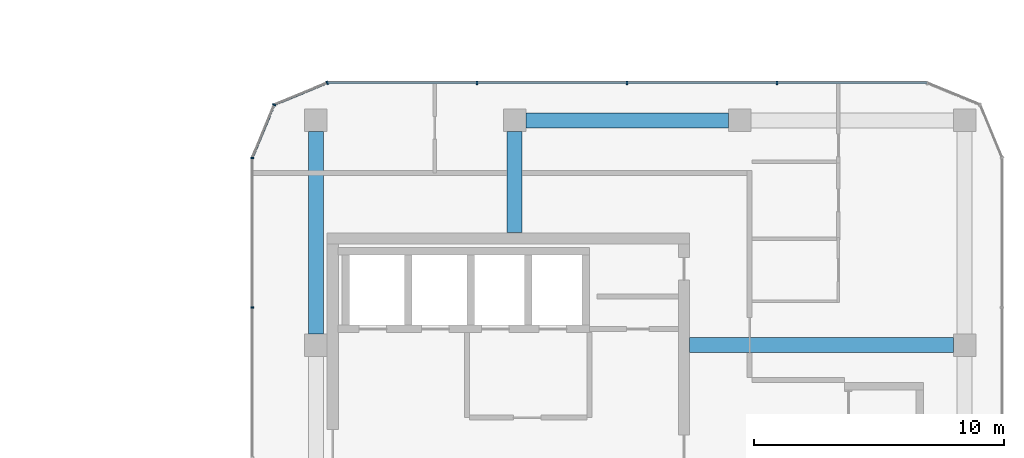
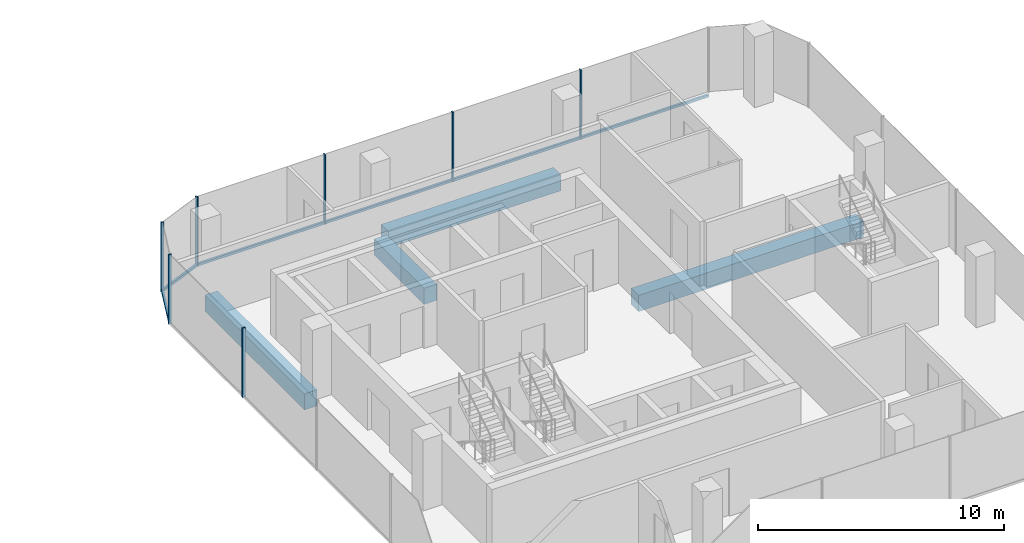
# One storey, part 9 of 22: 10 members, 4 beams, 4 elements without a shape of their own.
"""IFC4 building model written with IfcOpenShell, lengths in metres."""

from ifc_helpers import new_model, si_unit, direction, frame, origin, origin_2d, place, context, subcontext, project, spatial, rectangle, extrude, material, layer, layer_set, material_profile, profile_set, type_object, element, aggregate, save


model = new_model("IFC4")

# Units and contexts
model_context = context("Model", 3, precision=1e-05, world=origin(), true_north=direction((0.0, 1.0)))
body_context = subcontext(model_context, "Body", "Model", "MODEL_VIEW")
ifc_project = project(units=[si_unit("LENGTHUNIT", "METRE"), si_unit("AREAUNIT", "SQUARE_METRE"), si_unit("VOLUMEUNIT", "CUBIC_METRE"), si_unit("PLANEANGLEUNIT", "RADIAN"), si_unit("MASSUNIT", "GRAM", prefix="KILO")], contexts=[model_context])

# Site, building, storey
site_placement = place(None, origin())
site = spatial("IfcSite", under=ifc_project, at=site_placement, CompositionType="ELEMENT")
building_placement = place(site_placement, origin())
building = spatial("IfcBuilding", under=site, at=building_placement, Name="Plateau Cross Towers", CompositionType="ELEMENT")
storey_placement = place(building_placement, frame((0.0, 0.0, 68.800048828125)))
storey = spatial("IfcBuildingStorey", under=building, at=storey_placement, Name="L17", CompositionType="ELEMENT", Elevation=68.800048828125)

# Beams
ifc_material_1 = material(Name="Concrete C60/75", Category="concrete")
ifc_material_profile_1 = material_profile(ifc_material_1, rectangle(XDim=0.60009765625, YDim=0.800048828125, at=origin_2d()), Name="RC 600x800")
ifc_profile_set_1 = profile_set([ifc_material_profile_1], Name="Concrete C60/75")
beam_type_1 = type_object("IfcBeamType", Name="Core beam RC 600x800", PredefinedType="BEAM", material=ifc_profile_set_1)
beam_1_placement = place(storey_placement, frame((89.5, 13.5, -0.650146484375), z_axis=(1.0, 0.0, 0.0), x_axis=(0.0, 1.0, 0.0)))
element("IfcBeam", 1, at=beam_1_placement, inside=storey, type_object=beam_type_1, Name="B-CB03@L17", PredefinedType="BEAM", context=body_context, shape_type="SweptSolid", body=[
    extrude(rectangle(XDim=0.60009765625, YDim=0.800048828125, at=origin_2d()), origin(), (0.0, 0.0, 1.0), 10.550048828125),
])
beam_2_placement = place(storey_placement, frame((82.5, 18.0, -0.650146484375), z_axis=(0.0, 1.0, 0.0), x_axis=(-1.0, 0.0, 0.0)))
element("IfcBeam", 2, at=beam_2_placement, inside=storey, type_object=beam_type_1, Name="B-CB04@L17", PredefinedType="BEAM", context=body_context, shape_type="SweptSolid", body=[
    extrude(rectangle(XDim=0.60009765625, YDim=0.800048828125, at=origin_2d()), origin(), (0.0, 0.0, 1.0), 4.050048828125),
])

# Curtain wall, members
ifc_material_2 = material(Name="Dark low-iron glass", Category="glass")
ifc_layer = layer(ifc_material_2, 0.239990234375)
ifc_layer_set = layer_set([ifc_layer], Name="Dark low-iron glass")
curtain_wall_type = type_object("IfcCurtainWallType", Name="Curtain wall office unitised CW-F", PredefinedType="NOTDEFINED", material=ifc_layer_set)
curtain_wall_1_placement = place(storey_placement, origin())
curtain_wall_1 = element("IfcCurtainWall", 3, at=curtain_wall_1_placement, inside=storey, type_object=curtain_wall_type, Name="ENV/B/L17/B990_240", PredefinedType="NOTDEFINED")
ifc_material_3 = material(Name="Black anodised aluminium", Category="aluminium")
ifc_material_profile_2 = material_profile(ifc_material_3, rectangle(XDim=0.06005859375, YDim=0.139892578125, at=origin_2d()), Name="MULLION 60x140")
ifc_profile_set_2 = profile_set([ifc_material_profile_2], Name="Black anodised aluminium")
member_type_1 = type_object("IfcMemberType", Name="Mullion 60x140 office unitised", PredefinedType="MULLION", material=ifc_profile_set_2)
member_1_placement = place(storey_placement, frame((93.0, 24.0, -0.25), z_axis=(0.0, 0.0, 1.0), x_axis=(-1.0, 0.0, 0.0)))
member_1 = element("IfcMember", 4, at=member_1_placement, type_object=member_type_1, Name="CW-F mullion 2", PredefinedType="MULLION", context=body_context, shape_type="SweptSolid", body=[
    extrude(rectangle(XDim=0.06005859375, YDim=0.139892578125, at=origin_2d()), origin(), (0.0, 0.0, 1.0), 3.449951171875),
])
member_2_placement = place(storey_placement, frame((87.0, 24.0, -0.25), z_axis=(0.0, 0.0, 1.0), x_axis=(-1.0, 0.0, 0.0)))
member_2 = element("IfcMember", 5, at=member_2_placement, type_object=member_type_1, Name="CW-F mullion 3", PredefinedType="MULLION", context=body_context, shape_type="SweptSolid", body=[
    extrude(rectangle(XDim=0.06005859375, YDim=0.139892578125, at=origin_2d()), origin(), (0.0, 0.0, 1.0), 3.449951171875),
])
member_3_placement = place(storey_placement, frame((81.0, 24.0, -0.25), z_axis=(0.0, 0.0, 1.0), x_axis=(-1.0, 0.0, 0.0)))
member_3 = element("IfcMember", 6, at=member_3_placement, type_object=member_type_1, Name="CW-F mullion 4", PredefinedType="MULLION", context=body_context, shape_type="SweptSolid", body=[
    extrude(rectangle(XDim=0.06005859375, YDim=0.139892578125, at=origin_2d()), origin(), (0.0, 0.0, 1.0), 3.449951171875),
])

# Curtain wall, member
curtain_wall_2_placement = place(storey_placement, origin())
curtain_wall_2 = element("IfcCurtainWall", 7, at=curtain_wall_2_placement, inside=storey, type_object=curtain_wall_type, Name="ENV/B/L17/B750_240", PredefinedType="NOTDEFINED")
member_4_placement = place(storey_placement, frame((75.0, 24.0, -0.25), z_axis=(0.0, 0.0, 1.0), x_axis=(-0.923879457699, -0.382683612978, 0.0)))
member_4 = element("IfcMember", 8, at=member_4_placement, type_object=member_type_1, Name="CW-F mullion 1", PredefinedType="MULLION", context=body_context, shape_type="SweptSolid", body=[
    extrude(rectangle(XDim=0.06005859375, YDim=0.139892578125, at=origin_2d()), origin(), (0.0, 0.0, 1.0), 3.449951171875),
])

curtain_wall_3_placement = place(storey_placement, origin())
curtain_wall_3 = element("IfcCurtainWall", 9, at=curtain_wall_3_placement, inside=storey, type_object=curtain_wall_type, Name="ENV/B/L17/B729_231", PredefinedType="NOTDEFINED")
member_5_placement = place(storey_placement, frame((72.878662109375, 23.121337890625, -0.25), z_axis=(0.0, 0.0, 1.0), x_axis=(-0.382683612978, -0.923879457699, 0.0)))
member_5 = element("IfcMember", 10, at=member_5_placement, type_object=member_type_1, Name="CW-F mullion 1", PredefinedType="MULLION", context=body_context, shape_type="SweptSolid", body=[
    extrude(rectangle(XDim=0.06005859375, YDim=0.139892578125, at=origin_2d()), origin(), (0.0, 0.0, 1.0), 3.449951171875),
])

# Curtain wall, members
curtain_wall_4_placement = place(storey_placement, origin())
curtain_wall_4 = element("IfcCurtainWall", 11, at=curtain_wall_4_placement, inside=storey, type_object=curtain_wall_type, Name="ENV/B/L17/B720_210", PredefinedType="NOTDEFINED")
member_6_placement = place(storey_placement, frame((72.0, 21.0, -0.25), z_axis=(0.0, 0.0, 1.0), x_axis=(0.0, -1.0, 0.0)))
member_6 = element("IfcMember", 12, at=member_6_placement, type_object=member_type_1, Name="CW-F mullion 1", PredefinedType="MULLION", context=body_context, shape_type="SweptSolid", body=[
    extrude(rectangle(XDim=0.06005859375, YDim=0.139892578125, at=origin_2d()), origin(), (0.0, 0.0, 1.0), 3.449951171875),
])
member_7_placement = place(storey_placement, frame((72.0, 15.0, -0.25), z_axis=(0.0, 0.0, 1.0), x_axis=(0.0, -1.0, 0.0)))
member_7 = element("IfcMember", 13, at=member_7_placement, type_object=member_type_1, Name="CW-F mullion 2", PredefinedType="MULLION", context=body_context, shape_type="SweptSolid", body=[
    extrude(rectangle(XDim=0.06005859375, YDim=0.139892578125, at=origin_2d()), origin(), (0.0, 0.0, 1.0), 3.449951171875),
])
aggregate(curtain_wall_4, [member_6, member_7])

# Beams
ifc_material_profile_3 = material_profile(ifc_material_1, rectangle(XDim=0.60009765625, YDim=0.800048828125, at=origin_2d()), Name="RC 600x800")
ifc_profile_set_3 = profile_set([ifc_material_profile_3], Name="Concrete C60/75")
beam_type_2 = type_object("IfcBeamType", Name="Ring beam RC 600x800", PredefinedType="BEAM", material=ifc_profile_set_3)
for number, where, z_axis, x_axis, name in (
    (14, (91.050048828125, 22.5, -0.650146484375), (-1.0, 0.0, 0.0), (0.0, -1.0, 0.0), "B-RB07@L17"),
    (15, (74.550048828125, 22.050048828125, -0.650146484375), (0.0, -1.0, 0.0), (1.0, 0.0, 0.0), "B-RB08@L17"),
):
    element("IfcBeam", number, at=place(storey_placement, frame(where, z_axis=z_axis, x_axis=x_axis)), inside=storey, type_object=beam_type_2, Name=name, PredefinedType="BEAM", context=body_context, shape_type="SweptSolid", body=[
        extrude(rectangle(XDim=0.60009765625, YDim=0.800048828125, at=origin_2d()), origin(), (0.0, 0.0, 1.0), 8.10009765625),
    ])

# Member
ifc_material_profile_4 = material_profile(ifc_material_3, rectangle(XDim=0.10009765625, YDim=0.1201171875, at=origin_2d()), Name="TRANSOM 100x120")
ifc_profile_set_4 = profile_set([ifc_material_profile_4], Name="Black anodised aluminium")
member_type_2 = type_object("IfcMemberType", Name="Transom 100x120 office unitised", PredefinedType="USERDEFINED", material=ifc_profile_set_4)
member_8_placement = place(storey_placement, frame((99.0, 24.0, -0.18994140625), z_axis=(-1.0, 0.0, 0.0), x_axis=(0.0, -1.0, 0.0)))
member_8 = element("IfcMember", 16, at=member_8_placement, type_object=member_type_2, Name="CW-F transom", ObjectType="TRANSOM", PredefinedType="USERDEFINED", context=body_context, shape_type="SweptSolid", body=[
    extrude(rectangle(XDim=0.10009765625, YDim=0.1201171875, at=origin_2d()), origin(), (0.0, 0.0, 1.0), 24.0),
])

aggregate(curtain_wall_1, [member_1, member_2, member_3, member_8])

member_9_placement = place(storey_placement, frame((75.0, 24.0, -0.18994140625), z_axis=(-0.923883353507, -0.382674207535, 0.0), x_axis=(0.382674207535, -0.923883353507, 0.0)))
member_9 = element("IfcMember", 17, at=member_9_placement, type_object=member_type_2, Name="CW-F transom", ObjectType="TRANSOM", PredefinedType="USERDEFINED", context=body_context, shape_type="SweptSolid", body=[
    extrude(rectangle(XDim=0.10009765625, YDim=0.1201171875, at=origin_2d()), origin(), (0.0, 0.0, 1.0), 2.296142578125),
])

aggregate(curtain_wall_2, [member_4, member_9])

member_10_placement = place(storey_placement, frame((72.878662109375, 23.121337890625, -0.18994140625), z_axis=(-0.382674207535, -0.923883353507, 0.0), x_axis=(0.923883353507, -0.382674207535, 0.0)))
member_10 = element("IfcMember", 18, at=member_10_placement, type_object=member_type_2, Name="CW-F transom", ObjectType="TRANSOM", PredefinedType="USERDEFINED", context=body_context, shape_type="SweptSolid", body=[
    extrude(rectangle(XDim=0.10009765625, YDim=0.1201171875, at=origin_2d()), origin(), (0.0, 0.0, 1.0), 2.296142578125),
])

aggregate(curtain_wall_3, [member_5, member_10])

save(model, "model.ifc")
